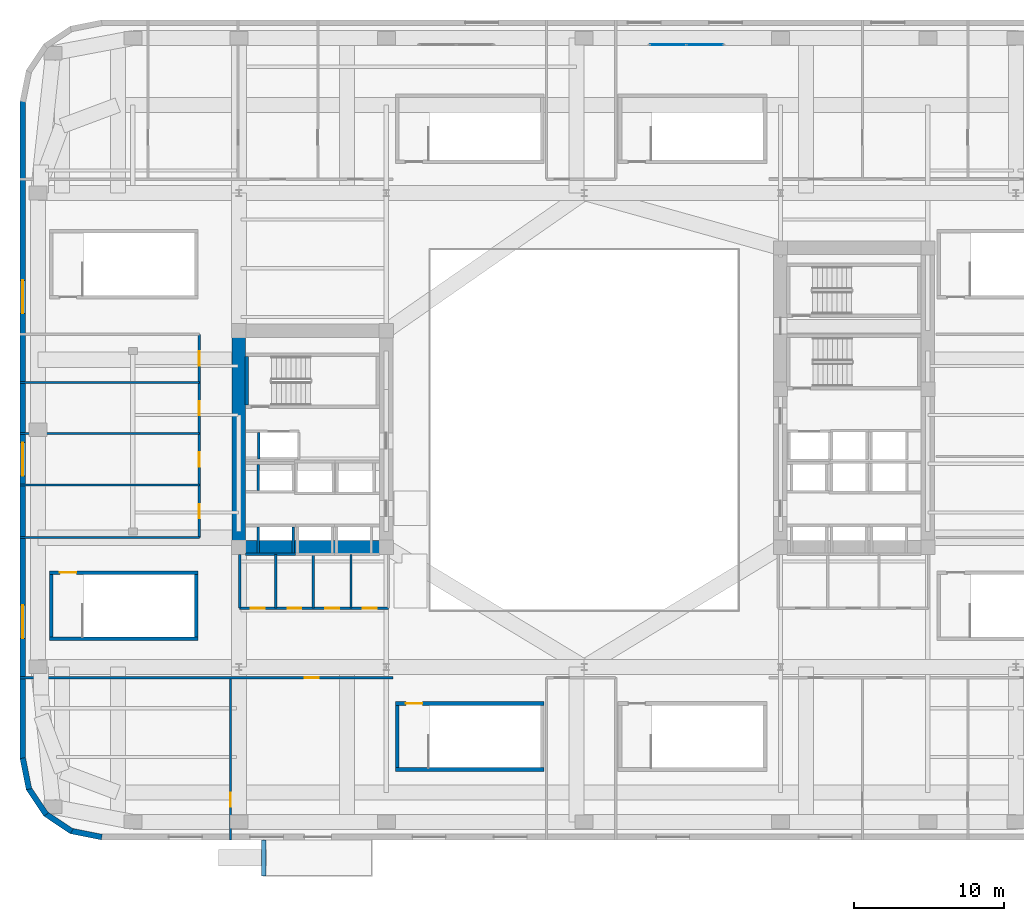
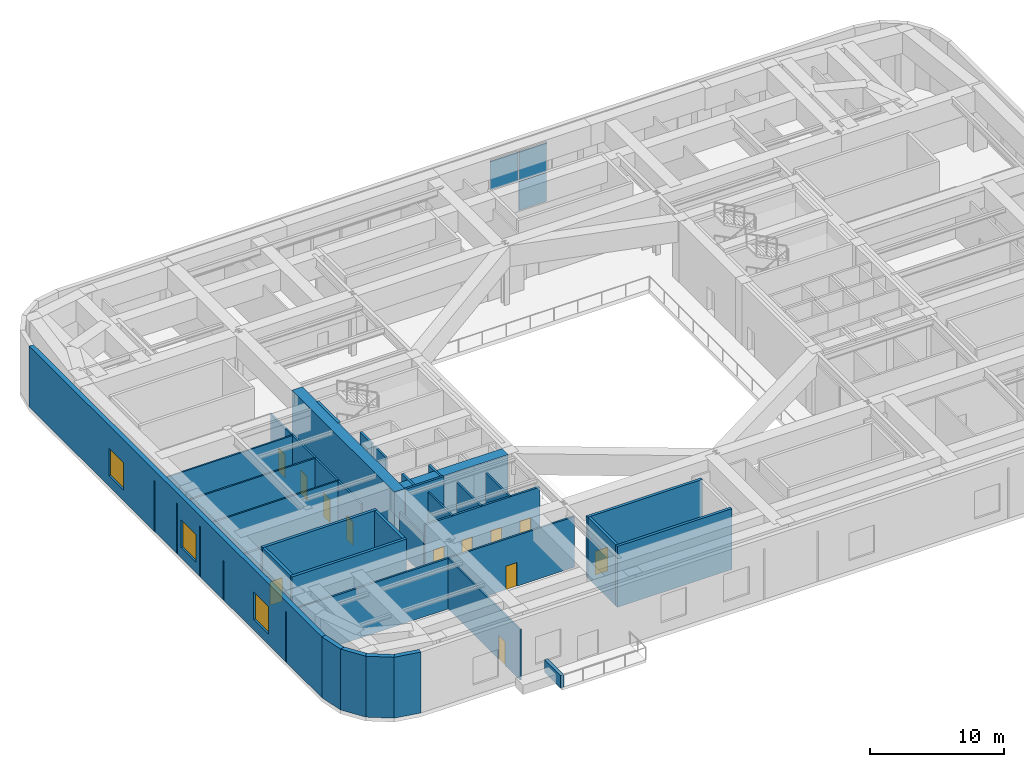
# One storey, part 6 of 16: 33 walls, 12 doors, 3 plates, 3 windows, 15 openings, 1 element without a shape of its own.
"""IFC4 building model written with IfcOpenShell, lengths in metres."""

import ifcopenshell
import ifcopenshell.guid

model = None  # the IFC model being written
_history = None  # IfcOwnerHistory: only IFC2X3 demands one
_inside = {}  # id of a spatial element -> (the spatial element, [elements in it])
_under = {}  # id of a project, library or spatial element -> (it, [spatial elements below it])
_declared = {}  # id of a project -> (the project, [libraries it declares])
_typed = {}  # id of a type object -> (the type object, [elements of that type])
_made_of = {}  # id of a material, layer set ... -> (it, [elements and type objects made of it])


def new_model(schema):
    """Start an empty IFC model of exactly this schema.

    Asked for "IFC4X3", IfcOpenShell would pick the latest addendum, in which some entities
    have other attributes; the version numbers below select the first issue.
    IFC2X3 requires an IfcOwnerHistory on every rooted entity: one is made here for all.
    """
    global model, _history
    if schema == "IFC4X3":
        model = ifcopenshell.file(schema_version=(4, 3, 0, 0))
    else:
        model = ifcopenshell.file(schema=schema)
    _inside.clear()
    _under.clear()
    _declared.clear()
    _typed.clear()
    _made_of.clear()
    _history = None
    if model.schema == "IFC2X3":
        org = make("IfcOrganization", Name="unknown")
        user = make(
            "IfcPersonAndOrganization",
            ThePerson=make("IfcPerson", FamilyName="unknown"),
            TheOrganization=org,
        )
        app = make(
            "IfcApplication",
            ApplicationDeveloper=org,
            Version="unknown",
            ApplicationFullName="unknown",
            ApplicationIdentifier="unknown",
        )
        _history = make(
            "IfcOwnerHistory",
            OwningUser=user,
            OwningApplication=app,
            ChangeAction="ADDED",
            CreationDate=0,
        )
    return model


def make(cls, **values):
    """One entity of the class cls with the attributes given. An attribute that is None is left unset."""
    return model.create_entity(
        cls, **{name: value for name, value in values.items() if value is not None}
    )


def rooted(cls, **values):
    """An entity with a GlobalId (a new one), such as an element, a storey or a relation."""
    return make(cls, GlobalId=ifcopenshell.guid.new(), OwnerHistory=_history, **values)


def si_unit(unit_type, name, prefix=None):
    """IfcSIUnit, for example si_unit("LENGTHUNIT", "METRE", prefix="MILLI")."""
    return make("IfcSIUnit", UnitType=unit_type, Prefix=prefix, Name=name)


def assignment(units):
    """IfcUnitAssignment: the units of a project."""
    return None if units is None else make("IfcUnitAssignment", Units=units)


def point(xyz):
    """IfcCartesianPoint."""
    return None if xyz is None else make("IfcCartesianPoint", Coordinates=xyz)


def direction(xyz):
    """IfcDirection."""
    return None if xyz is None else make("IfcDirection", DirectionRatios=xyz)


def frame(location, z_axis=None, x_axis=None):
    """IfcAxis2Placement3D, a coordinate frame: its origin and axes. An axis left out is left unset."""
    return make(
        "IfcAxis2Placement3D",
        Location=point(location),
        Axis=direction(z_axis),
        RefDirection=direction(x_axis),
    )


def frame_2d(location, x_axis=None):
    """IfcAxis2Placement2D, a coordinate frame in the plane: its origin and x axis."""
    return make(
        "IfcAxis2Placement2D", Location=point(location), RefDirection=direction(x_axis)
    )


def origin():
    """The frame at (0, 0, 0) with its axes left unset."""
    return frame((0.0, 0.0, 0.0))


def origin_2d():
    """The frame at (0, 0) in the plane with its x axis left unset."""
    return frame_2d((0.0, 0.0))


def place(relative_to, where):
    """IfcLocalPlacement: puts the frame where relative to a parent placement (None: the world)."""
    return make(
        "IfcLocalPlacement", PlacementRelTo=relative_to, RelativePlacement=where
    )


def context(
    kind, dimensions, precision=None, world=None, true_north=None, identifier=None
):
    """IfcGeometricRepresentationContext, for example the 3D "Model" context."""
    return make(
        "IfcGeometricRepresentationContext",
        ContextIdentifier=identifier,
        ContextType=kind,
        CoordinateSpaceDimension=dimensions,
        Precision=precision,
        WorldCoordinateSystem=world,
        TrueNorth=true_north,
    )


def subcontext(parent, identifier, kind, view, scale=None):
    """IfcGeometricRepresentationSubContext, for example "Body" below "Model"."""
    return make(
        "IfcGeometricRepresentationSubContext",
        ContextIdentifier=identifier,
        ContextType=kind,
        ParentContext=parent,
        TargetScale=scale,
        TargetView=view,
    )


def project(units=None, contexts=None):
    """IfcProject with its units and contexts."""
    return rooted(
        "IfcProject",
        Name="project",
        RepresentationContexts=contexts,
        UnitsInContext=assignment(units),
    )


def spatial(cls, under=None, at=None, **own):
    """A site, building, storey or space (cls), placed at a placement, below another one or the project."""
    s = rooted(cls, ObjectPlacement=at, **own)
    if under is not None:
        _under.setdefault(under.id(), (under, []))[1].append(s)
    return s


def profile(cls, at=None, kind="AREA", **sizes):
    """A parametric profile (cls). Its sizes go by their IFC names, for example OverallWidth=200.0."""
    return make(cls, ProfileType=kind, Position=at, **sizes)


def rectangle(**sizes):
    """IfcRectangleProfileDef."""
    return profile("IfcRectangleProfileDef", **sizes)


def extrude(swept, where, along, depth):
    """IfcExtrudedAreaSolid: the profile swept, set in the frame where, extruded along a direction by depth."""
    return make(
        "IfcExtrudedAreaSolid",
        SweptArea=swept,
        Position=where,
        ExtrudedDirection=direction(along),
        Depth=depth,
    )


def shape(context_of_items, identifier, shape_type, items):
    """IfcShapeRepresentation: the items that make up one representation, for example the "Body"."""
    return make(
        "IfcShapeRepresentation",
        ContextOfItems=context_of_items,
        RepresentationIdentifier=identifier,
        RepresentationType=shape_type,
        Items=items,
    )


def material(Name=None, Category=None):
    """IfcMaterial."""
    return make("IfcMaterial", Name=Name, Category=Category)


def layer(
    of_material, thickness, ventilated=None, Name=None, Category=None, Priority=None
):
    """IfcMaterialLayer: one layer of a wall or slab, of a material (None: an air gap)."""
    return make(
        "IfcMaterialLayer",
        Material=of_material,
        LayerThickness=thickness,
        IsVentilated=ventilated,
        Name=Name,
        Category=Category,
        Priority=Priority,
    )


def layer_set(layers, Name=None):
    """IfcMaterialLayerSet."""
    return make("IfcMaterialLayerSet", MaterialLayers=layers, LayerSetName=Name)


def made_of(thing, what):
    """Note that an element or type object is made of a material, layer set ...; save() writes the relation."""
    if what is not None:
        _made_of.setdefault(what.id(), (what, []))[1].append(thing)
    return thing


def type_object(cls, material=None, **own):
    """A type object (cls), such as IfcWallType, which elements share."""
    return made_of(rooted(cls, **own), material)


def element(
    cls,
    number,
    at=None,
    inside=None,
    cuts=None,
    type_object=None,
    material=None,
    context=None,
    identifier="Body",
    shape_type=None,
    held_by="IfcProductDefinitionShape",
    body=None,
    shapes=None,
    **own,
):
    """One element of the class cls, such as IfcWall. Its Tag is "e" and its number.

    at: its placement. inside: the storey or other place that contains it. cuts: it is an
    opening in that element (IfcRelVoidsElement). A single representation is given by context,
    identifier, shape_type and body (its items); several are given by shapes. held_by: the class
    of the entity that holds the representations. save() writes the other relations.
    """
    e = rooted(cls, Tag="e%d" % number, ObjectPlacement=at, **own)
    if body is not None:
        shapes = [shape(context, identifier, shape_type, body)]
    if shapes is not None:
        e.Representation = make(held_by, Representations=shapes)
    if inside is not None:
        _inside.setdefault(inside.id(), (inside, []))[1].append(e)
    if cuts is not None:
        rooted(
            "IfcRelVoidsElement", RelatingBuildingElement=cuts, RelatedOpeningElement=e
        )
    if type_object is not None:
        _typed.setdefault(type_object.id(), (type_object, []))[1].append(e)
    return made_of(e, material)


def fill(opening, filler):
    """IfcRelFillsElement: the door or window that sits in an opening."""
    return rooted(
        "IfcRelFillsElement",
        RelatingOpeningElement=opening,
        RelatedBuildingElement=filler,
    )


def aggregate(whole, parts):
    """IfcRelAggregates: a whole, such as a stair, and the parts it consists of."""
    return rooted("IfcRelAggregates", RelatingObject=whole, RelatedObjects=parts)


def save(model, path):
    """Write the relations noted so far, then the file.

    IfcRelAggregates (storeys below a building ...), IfcRelContainedInSpatialStructure (elements
    in a storey), IfcRelDefinesByType, IfcRelAssociatesMaterial and IfcRelDeclares: one each for
    every whole, place, type object, material and project.
    """
    for whole, parts in _under.values():
        aggregate(whole, parts)
    for where, things in _inside.values():
        rooted(
            "IfcRelContainedInSpatialStructure",
            RelatedElements=things,
            RelatingStructure=where,
        )
    for kind, things in _typed.values():
        rooted("IfcRelDefinesByType", RelatedObjects=things, RelatingType=kind)
    for what, things in _made_of.values():
        rooted("IfcRelAssociatesMaterial", RelatedObjects=things, RelatingMaterial=what)
    for by, libraries in _declared.values():
        rooted("IfcRelDeclares", RelatingContext=by, RelatedDefinitions=libraries)
    model.write(path)


model = new_model("IFC4")

# Units and contexts
model_context = context("Model", 3, precision=1e-05, world=origin(), true_north=direction((0.0, 1.0)))
body_context = subcontext(model_context, "Body", "Model", "MODEL_VIEW")
ifc_project = project(units=[si_unit("LENGTHUNIT", "METRE"), si_unit("AREAUNIT", "SQUARE_METRE"), si_unit("VOLUMEUNIT", "CUBIC_METRE"), si_unit("PLANEANGLEUNIT", "RADIAN"), si_unit("MASSUNIT", "GRAM", prefix="KILO")], contexts=[model_context])

# Site, building, storey
site_placement = place(None, origin())
site = spatial("IfcSite", under=ifc_project, at=site_placement, CompositionType="ELEMENT")
building_placement = place(site_placement, origin())
building = spatial("IfcBuilding", under=site, at=building_placement, Name="Kolvaren Arena Tower", CompositionType="ELEMENT")
storey_placement = place(building_placement, frame((0.0, 0.0, 28.0)))
storey = spatial("IfcBuildingStorey", under=building, at=storey_placement, Name="L05", CompositionType="ELEMENT", Elevation=28.0)

# Curtain wall, plates
ifc_material_1 = material(Name="Anodised aluminium unitised curtain wall", Category="aluminium")
curtain_wall_type = type_object("IfcCurtainWallType", Name="CW-SYS-07", PredefinedType="USERDEFINED", material=ifc_material_1)
curtain_wall_placement = place(storey_placement, origin())
curtain_wall = element("IfcCurtainWall", 1, at=curtain_wall_placement, inside=storey, type_object=curtain_wall_type, Name="Crown Clerestory Curtain Wall (L05)", ObjectType="UNITISED CURTAIN WALL", PredefinedType="USERDEFINED")
ifc_material_2 = material(Name="Laminated acoustic low-E glazing unit", Category="glass")
ifc_layer_1 = layer(ifc_material_2, 0.052001953125)
ifc_layer_set_1 = layer_set([ifc_layer_1], Name="Laminated acoustic low-E glazing unit")
plate_type = type_object("IfcPlateType", Name="CWP-VIS2", PredefinedType="CURTAIN_PANEL", material=ifc_layer_set_1)
plate_1_placement = place(storey_placement, frame((43.070068359375, 52.85009765625, 2.824951171875), z_axis=(0.0, 0.0, 1.0), x_axis=(1.0, 0.0, 0.0)))
plate_1 = element("IfcPlate", 2, at=plate_1_placement, type_object=plate_type, Name="CW7 panel 1.2", PredefinedType="CURTAIN_PANEL", context=body_context, shape_type="SweptSolid", body=[
    extrude(rectangle(XDim=2.3798828125, YDim=0.052001953125, at=origin_2d()), origin(), (0.0, 0.0, 1.0), 2.625),
])
plate_2_placement = place(storey_placement, frame((45.530029296875, 52.85009765625, 0.10009765625), z_axis=(0.0, 0.0, 1.0), x_axis=(1.0, 0.0, 0.0)))
plate_2 = element("IfcPlate", 3, at=plate_2_placement, type_object=plate_type, Name="CW7 panel 2.1", PredefinedType="CURTAIN_PANEL", context=body_context, shape_type="SweptSolid", body=[
    extrude(rectangle(XDim=2.3798828125, YDim=0.052001953125, at=origin_2d()), origin(), (0.0, 0.0, 1.0), 2.625),
])
plate_3_placement = place(storey_placement, frame((45.530029296875, 52.85009765625, 2.824951171875), z_axis=(0.0, 0.0, 1.0), x_axis=(1.0, 0.0, 0.0)))
plate_3 = element("IfcPlate", 4, at=plate_3_placement, type_object=plate_type, Name="CW7 panel 2.2", PredefinedType="CURTAIN_PANEL", context=body_context, shape_type="SweptSolid", body=[
    extrude(rectangle(XDim=2.3798828125, YDim=0.052001953125, at=origin_2d()), origin(), (0.0, 0.0, 1.0), 2.625),
])
aggregate(curtain_wall, [plate_1, plate_2, plate_3])

# Wall, openings, doors
ifc_material_3 = material(Name="Gypsum board acoustic assembly", Category="gypsum")
ifc_layer_2 = layer(ifc_material_3, 0.159912109375)
ifc_layer_set_2 = layer_set([ifc_layer_2], Name="Gypsum board acoustic assembly")
wall_type_1 = type_object("IfcWallType", Name="CORR-160", PredefinedType="PARTITIONING", material=ifc_layer_set_2)
wall_1_placement = place(storey_placement, frame((11.919921875, 20.10009765625, 0.0), z_axis=(0.0, 0.0, 1.0), x_axis=(0.0, 1.0, 0.0)))
wall_1 = element("IfcWall", 5, at=wall_1_placement, inside=storey, type_object=wall_type_1, Name="Interior Partition Wall (L05)", PredefinedType="PARTITIONING", context=body_context, shape_type="SweptSolid", body=[
    extrude(rectangle(XDim=13.5, YDim=0.159912109375, at=frame_2d((6.75, 0.0))), origin(), (0.0, 0.0, 1.0), 4.610107421875),
])
opening_1_placement = place(wall_1_placement, frame((1.27001953125, 0.0, 0.0)))
opening_1 = element("IfcOpeningElement", 6, at=opening_1_placement, cuts=wall_1, Name="Opening D05", PredefinedType="OPENING", context=body_context, shape_type="SweptSolid", body=[
    extrude(rectangle(XDim=0.949951171875, YDim=2.14990234375, at=frame_2d((0.47509765625, 1.074951171875))), frame((0.0, 0.08984375, 0.0), z_axis=(0.0, -1.0, 0.0), x_axis=(1.0, 0.0, 0.0)), (0.0, 0.0, 1.0), 0.179931640625),
])
opening_2_placement = place(wall_1_placement, frame((4.719970703125, 0.0, 0.0)))
opening_2 = element("IfcOpeningElement", 7, at=opening_2_placement, cuts=wall_1, Name="Opening D05", PredefinedType="OPENING", context=body_context, shape_type="SweptSolid", body=[
    extrude(rectangle(XDim=0.949951171875, YDim=2.14990234375, at=frame_2d((0.47509765625, 1.074951171875))), frame((0.0, 0.08984375, 0.0), z_axis=(0.0, -1.0, 0.0), x_axis=(1.0, 0.0, 0.0)), (0.0, 0.0, 1.0), 0.179931640625),
])
opening_3_placement = place(wall_1_placement, frame((8.1201171875, 0.0, 0.0)))
opening_3 = element("IfcOpeningElement", 8, at=opening_3_placement, cuts=wall_1, Name="Opening D05", PredefinedType="OPENING", context=body_context, shape_type="SweptSolid", body=[
    extrude(rectangle(XDim=0.949951171875, YDim=2.14990234375, at=frame_2d((0.47509765625, 1.074951171875))), frame((0.0, 0.08984375, 0.0), z_axis=(0.0, -1.0, 0.0), x_axis=(1.0, 0.0, 0.0)), (0.0, 0.0, 1.0), 0.179931640625),
])
opening_4_placement = place(wall_1_placement, frame((11.419921875, 0.0, 0.0)))
opening_4 = element("IfcOpeningElement", 9, at=opening_4_placement, cuts=wall_1, Name="Opening D05", PredefinedType="OPENING", context=body_context, shape_type="SweptSolid", body=[
    extrude(rectangle(XDim=0.949951171875, YDim=2.14990234375, at=frame_2d((0.47509765625, 1.074951171875))), frame((0.0, 0.08984375, 0.0), z_axis=(0.0, -1.0, 0.0), x_axis=(1.0, 0.0, 0.0)), (0.0, 0.0, 1.0), 0.179931640625),
])
ifc_material_4 = material(Name="Solid-core oak acoustic office door", Category="wood")
door_type_1 = type_object("IfcDoorType", Name="DOOR-OF-095", OperationType="NOTDEFINED", PredefinedType="DOOR", material=ifc_material_4)
door_1_placement = place(opening_1_placement, origin())
door_1 = element("IfcDoor", 10, at=door_1_placement, inside=storey, type_object=door_type_1, Name="Broadcast Production Room Door (L05)", OperationType="SINGLE_SWING_LEFT", OverallHeight=2.14990234375, OverallWidth=0.949951171875, PredefinedType="DOOR", context=body_context, shape_type="SweptSolid", body=[
    extrude(rectangle(XDim=0.949951171875, YDim=2.14990234375, at=frame_2d((0.47509765625, 1.074951171875))), frame((0.0, 0.02490234375, 0.0), z_axis=(0.0, -1.0, 0.0), x_axis=(1.0, 0.0, 0.0)), (0.0, 0.0, 1.0), 0.050048828125),
])
fill(opening_1, door_1)
door_2_placement = place(opening_2_placement, origin())
door_2 = element("IfcDoor", 11, at=door_2_placement, inside=storey, type_object=door_type_1, Name="Press Writing Studio Door (L05)", OperationType="SINGLE_SWING_LEFT", OverallHeight=2.14990234375, OverallWidth=0.949951171875, PredefinedType="DOOR", context=body_context, shape_type="SweptSolid", body=[
    extrude(rectangle(XDim=0.949951171875, YDim=2.14990234375, at=frame_2d((0.47509765625, 1.074951171875))), frame((0.0, 0.02490234375, 0.0), z_axis=(0.0, -1.0, 0.0), x_axis=(1.0, 0.0, 0.0)), (0.0, 0.0, 1.0), 0.050048828125),
])
fill(opening_2, door_2)
door_3_placement = place(opening_3_placement, origin())
door_3 = element("IfcDoor", 12, at=door_3_placement, inside=storey, type_object=door_type_1, Name="Training Seminar Room Door (L05)", OperationType="SINGLE_SWING_LEFT", OverallHeight=2.14990234375, OverallWidth=0.949951171875, PredefinedType="DOOR", context=body_context, shape_type="SweptSolid", body=[
    extrude(rectangle(XDim=0.949951171875, YDim=2.14990234375, at=frame_2d((0.47509765625, 1.074951171875))), frame((0.0, 0.02490234375, 0.0), z_axis=(0.0, -1.0, 0.0), x_axis=(1.0, 0.0, 0.0)), (0.0, 0.0, 1.0), 0.050048828125),
])
fill(opening_3, door_3)
door_4_placement = place(opening_4_placement, origin())
door_4 = element("IfcDoor", 13, at=door_4_placement, inside=storey, type_object=door_type_1, Name="Wellness Room Door (L05)", OperationType="SINGLE_SWING_LEFT", OverallHeight=2.14990234375, OverallWidth=0.949951171875, PredefinedType="DOOR", context=body_context, shape_type="SweptSolid", body=[
    extrude(rectangle(XDim=0.949951171875, YDim=2.14990234375, at=frame_2d((0.47509765625, 1.074951171875))), frame((0.0, 0.02490234375, 0.0), z_axis=(0.0, -1.0, 0.0), x_axis=(1.0, 0.0, 0.0)), (0.0, 0.0, 1.0), 0.050048828125),
])
fill(opening_4, door_4)

# Wall
wall_2_placement = place(storey_placement, frame((0.0, 20.10009765625, 0.0), z_axis=(0.0, 0.0, 1.0), x_axis=(1.0, 0.0, 0.0)))
element("IfcWall", 14, at=wall_2_placement, inside=storey, type_object=wall_type_1, Name="Interior Partition Wall (L05)", PredefinedType="PARTITIONING", context=body_context, shape_type="SweptSolid", body=[
    extrude(rectangle(XDim=11.919921875, YDim=0.159912109375, at=frame_2d((5.9599609375, 0.0))), origin(), (0.0, 0.0, 1.0), 3.60009765625),
])

# Wall, opening, door
wall_3_placement = place(storey_placement, frame((0.0, 10.780029296875, 0.0), z_axis=(0.0, 0.0, 1.0), x_axis=(1.0, 0.0, 0.0)))
wall_3 = element("IfcWall", 15, at=wall_3_placement, inside=storey, type_object=wall_type_1, Name="Interior Partition Wall (L05)", PredefinedType="PARTITIONING", context=body_context, shape_type="SweptSolid", body=[
    extrude(rectangle(XDim=24.800048828125, YDim=0.159912109375, at=frame_2d((12.39990234375, 0.0))), origin(), (0.0, 0.0, 1.0), 4.610107421875),
])
opening_5_placement = place(wall_3_placement, frame((18.919921875, 0.0, 0.0)))
opening_5 = element("IfcOpeningElement", 16, at=opening_5_placement, cuts=wall_3, Name="Opening D05", PredefinedType="OPENING", context=body_context, shape_type="SweptSolid", body=[
    extrude(rectangle(XDim=0.949951171875, YDim=2.14990234375, at=frame_2d((0.47509765625, 1.074951171875))), frame((0.0, 0.08984375, 0.0), z_axis=(0.0, -1.0, 0.0), x_axis=(1.0, 0.0, 0.0)), (0.0, 0.0, 1.0), 0.179931640625),
])
door_5_placement = place(opening_5_placement, origin())
door_5 = element("IfcDoor", 17, at=door_5_placement, inside=storey, type_object=door_type_1, Name="Arena Retail Pavilion Door (L05)", OperationType="SINGLE_SWING_RIGHT", OverallHeight=2.14990234375, OverallWidth=0.949951171875, PredefinedType="DOOR", context=body_context, shape_type="SweptSolid", body=[
    extrude(rectangle(XDim=0.949951171875, YDim=2.14990234375, at=frame_2d((0.47509765625, 1.074951171875))), frame((0.0, 0.02490234375, 0.0), z_axis=(0.0, -1.0, 0.0), x_axis=(1.0, 0.0, 0.0)), (0.0, 0.0, 1.0), 0.050048828125),
])
fill(opening_5, door_5)

# Walls
ifc_material_5 = material(Name="Concrete 80 MPa", Category="concrete")
ifc_layer_3 = layer(ifc_material_5, 0.89990234375)
ifc_layer_set_3 = layer_set([ifc_layer_3], Name="Concrete 80 MPa")
wall_type_2 = type_object("IfcWallType", Name="CWALL-900", PredefinedType="SHEAR", material=ifc_layer_set_3)
wall_4_placement = place(storey_placement, frame((14.550048828125, 19.0, -0.35009765625), z_axis=(0.0, 0.0, 1.0), x_axis=(0.0, 1.0, 0.0)))
element("IfcWall", 18, at=wall_4_placement, inside=storey, type_object=wall_type_2, Name="Core Shear Wall WC-WEST (L05)", PredefinedType="SHEAR", context=body_context, shape_type="SweptSolid", body=[
    extrude(rectangle(XDim=15.300048828125, YDim=0.89990234375, at=frame_2d((7.64990234375, 0.0))), origin(), (0.0, 0.0, 1.0), 5.900146484375),
])
wall_5_placement = place(storey_placement, frame((15.0, 19.449951171875, -0.35009765625), z_axis=(0.0, 0.0, 1.0), x_axis=(1.0, 0.0, 0.0)))
element("IfcWall", 19, at=wall_5_placement, inside=storey, type_object=wall_type_2, Name="Core Shear Wall WC-SOUTH (L05)", PredefinedType="SHEAR", context=body_context, shape_type="SweptSolid", body=[
    extrude(rectangle(XDim=8.89990234375, YDim=0.89990234375, at=frame_2d((4.449951171875, 0.0))), origin(), (0.0, 0.0, 1.0), 5.900146484375),
])

# Wall, openings, windows
ifc_material_6 = material(Name="Precast concrete C50/60", Category="concrete")
ifc_layer_4 = layer(ifc_material_6, 0.3798828125)
ifc_layer_set_4 = layer_set([ifc_layer_4], Name="Precast concrete C50/60")
wall_type_3 = type_object("IfcWallType", Name="EXT-ARENA", PredefinedType="SOLIDWALL", material=ifc_layer_set_4)
wall_6_placement = place(storey_placement, frame((0.18994140625, 5.39990234375, 0.0), z_axis=(0.0, 0.0, 1.0), x_axis=(0.0, 1.0, 0.0)))
wall_6 = element("IfcWall", 20, at=wall_6_placement, inside=storey, type_object=wall_type_3, Name="Exterior Precast Masonry-Frame Wall (L05)", PredefinedType="SOLIDWALL", context=body_context, shape_type="SweptSolid", body=[
    extrude(rectangle(XDim=43.7001953125, YDim=0.3798828125, at=frame_2d((21.85009765625, 0.0))), origin(), (0.0, 0.0, 1.0), 5.550048828125),
])
opening_6_placement = place(wall_6_placement, frame((8.0, 0.0, 0.949951171875)))
opening_6 = element("IfcOpeningElement", 21, at=opening_6_placement, cuts=wall_6, Name="Opening W07", PredefinedType="OPENING", context=body_context, shape_type="SweptSolid", body=[
    extrude(rectangle(XDim=2.199951171875, YDim=2.5, at=frame_2d((1.10009765625, 1.25))), frame((0.0, 0.199951171875, 0.0), z_axis=(0.0, -1.0, 0.0), x_axis=(1.0, 0.0, 0.0)), (0.0, 0.0, 1.0), 0.39990234375),
])
opening_7_placement = place(wall_6_placement, frame((18.800048828125, 0.0, 0.949951171875)))
opening_7 = element("IfcOpeningElement", 22, at=opening_7_placement, cuts=wall_6, Name="Opening W07", PredefinedType="OPENING", context=body_context, shape_type="SweptSolid", body=[
    extrude(rectangle(XDim=2.199951171875, YDim=2.5, at=frame_2d((1.10009765625, 1.25))), frame((0.0, 0.199951171875, 0.0), z_axis=(0.0, -1.0, 0.0), x_axis=(1.0, 0.0, 0.0)), (0.0, 0.0, 1.0), 0.39990234375),
])
opening_8_placement = place(wall_6_placement, frame((29.60009765625, 0.0, 0.949951171875)))
opening_8 = element("IfcOpeningElement", 23, at=opening_8_placement, cuts=wall_6, Name="Opening W07", PredefinedType="OPENING", context=body_context, shape_type="SweptSolid", body=[
    extrude(rectangle(XDim=2.199951171875, YDim=2.5, at=frame_2d((1.10009765625, 1.25))), frame((0.0, 0.199951171875, 0.0), z_axis=(0.0, -1.0, 0.0), x_axis=(1.0, 0.0, 0.0)), (0.0, 0.0, 1.0), 0.39990234375),
])
ifc_material_7 = material(Name="Triple-glazed arena concourse window", Category="glass")
window_type = type_object("IfcWindowType", Name="WIN-POD-A", PartitioningType="DOUBLE_PANEL_VERTICAL", PredefinedType="WINDOW", material=ifc_material_7)
window_1_placement = place(opening_6_placement, origin())
window_1 = element("IfcWindow", 24, at=window_1_placement, inside=storey, type_object=window_type, Name="Punched Precast-Pier Window (L05)", OverallHeight=2.5, OverallWidth=2.199951171875, PartitioningType="DOUBLE_PANEL_VERTICAL", PredefinedType="WINDOW", context=body_context, shape_type="SweptSolid", body=[
    extrude(rectangle(XDim=2.199951171875, YDim=2.5, at=frame_2d((1.10009765625, 1.25))), frame((0.0, 0.030029296875, 0.0), z_axis=(0.0, -1.0, 0.0), x_axis=(1.0, 0.0, 0.0)), (0.0, 0.0, 1.0), 0.06005859375),
])
fill(opening_6, window_1)
window_2_placement = place(opening_7_placement, origin())
window_2 = element("IfcWindow", 25, at=window_2_placement, inside=storey, type_object=window_type, Name="Punched Precast-Pier Window (L05)", OverallHeight=2.5, OverallWidth=2.199951171875, PartitioningType="DOUBLE_PANEL_VERTICAL", PredefinedType="WINDOW", context=body_context, shape_type="SweptSolid", body=[
    extrude(rectangle(XDim=2.199951171875, YDim=2.5, at=frame_2d((1.10009765625, 1.25))), frame((0.0, 0.030029296875, 0.0), z_axis=(0.0, -1.0, 0.0), x_axis=(1.0, 0.0, 0.0)), (0.0, 0.0, 1.0), 0.06005859375),
])
fill(opening_7, window_2)
window_3_placement = place(opening_8_placement, origin())
window_3 = element("IfcWindow", 26, at=window_3_placement, inside=storey, type_object=window_type, Name="Punched Precast-Pier Window (L05)", OverallHeight=2.5, OverallWidth=2.199951171875, PartitioningType="DOUBLE_PANEL_VERTICAL", PredefinedType="WINDOW", context=body_context, shape_type="SweptSolid", body=[
    extrude(rectangle(XDim=2.199951171875, YDim=2.5, at=frame_2d((1.10009765625, 1.25))), frame((0.0, 0.030029296875, 0.0), z_axis=(0.0, -1.0, 0.0), x_axis=(1.0, 0.0, 0.0)), (0.0, 0.0, 1.0), 0.06005859375),
])
fill(opening_8, window_3)

# Walls
for number, where, z_axis, x_axis, name in (
    (27, (0.597412109375, 3.37060546875, 0.0), (0.0, 0.0, 1.0), (-0.195135546048, 0.9807762837, 0.0), "Exterior Precast Masonry-Frame Wall (L05)"),
    (28, (1.739501953125, 1.687255859375, 0.0), (0.0, 0.0, 1.0), (-0.555502146192, 0.831515102434, 0.0), "Exterior Precast Masonry-Frame Wall (L05)"),
    (29, (3.439208984375, 0.569091796875, 0.0), (0.0, 0.0, 1.0), (-0.831515102434, 0.555502146192, 0.0), "Exterior Precast Masonry-Frame Wall (L05)"),
    (30, (5.43701171875, 0.186279296875, 0.0), (0.0, 0.0, 1.0), (-0.9807762837, 0.195135546048, 0.0), "Exterior Precast Masonry-Frame Wall (L05)"),
):
    element("IfcWall", number, at=place(storey_placement, frame(where, z_axis=z_axis, x_axis=x_axis)), inside=storey, type_object=wall_type_3, Name=name, PredefinedType="SOLIDWALL", context=body_context, shape_type="SweptSolid", body=[
        extrude(rectangle(XDim=2.10693359375, YDim=0.3798828125, at=frame_2d((1.053466796875, 0.0))), origin(), (0.0, 0.0, 1.0), 5.550048828125),
    ])
ifc_material_8 = material(Name="Precast concrete C45/55", Category="concrete")
ifc_layer_5 = layer(ifc_material_8, 0.300048828125)
ifc_layer_set_5 = layer_set([ifc_layer_5], Name="Precast concrete C45/55")
wall_type_4 = type_object("IfcWallType", Name="PARAP-300", PredefinedType="PARAPET", material=ifc_layer_set_5)
wall_7_placement = place(storey_placement, frame((16.199951171875, 0.0, 0.0), z_axis=(0.0, 0.0, 1.0), x_axis=(0.0, -1.0, 0.0)))
element("IfcWall", 31, at=wall_7_placement, inside=storey, type_object=wall_type_4, Name="Terrace Side Parapet Wall (L05)", PredefinedType="PARAPET", context=body_context, shape_type="SweptSolid", body=[
    extrude(rectangle(XDim=2.39990234375, YDim=0.300048828125, at=frame_2d((1.199951171875, 0.0))), origin(), (0.0, 0.0, 1.0), 1.1201171875),
])
ifc_material_9 = material(Name="Gypsum board partition assembly", Category="gypsum")
ifc_layer_6 = layer(ifc_material_9, 0.135009765625)
ifc_layer_set_6 = layer_set([ifc_layer_6], Name="Gypsum board partition assembly")
wall_type_5 = type_object("IfcWallType", Name="PART-135", PredefinedType="PARTITIONING", material=ifc_layer_set_6)
for number, where, z_axis, x_axis, name in (
    (32, (0.0, 23.60009765625, 0.0), (0.0, 0.0, 1.0), (1.0, 0.0, 0.0), "Interior Partition Wall (L05)"),
    (33, (0.0, 27.0, 0.0), (0.0, 0.0, 1.0), (1.0, 0.0, 0.0), "Interior Partition Wall (L05)"),
    (34, (0.0, 30.39990234375, 0.0), (0.0, 0.0, 1.0), (1.0, 0.0, 0.0), "Interior Partition Wall (L05)"),
):
    element("IfcWall", number, at=place(storey_placement, frame(where, z_axis=z_axis, x_axis=x_axis)), inside=storey, type_object=wall_type_5, Name=name, PredefinedType="PARTITIONING", context=body_context, shape_type="SweptSolid", body=[
        extrude(rectangle(XDim=11.919921875, YDim=0.135009765625, at=frame_2d((5.9599609375, 0.0))), origin(), (0.0, 0.0, 1.0), 4.610107421875),
    ])

# Wall, opening, door
wall_8_placement = place(storey_placement, frame((14.0, 0.0, 0.0), z_axis=(0.0, 0.0, 1.0), x_axis=(0.0, 1.0, 0.0)))
wall_8 = element("IfcWall", 35, at=wall_8_placement, inside=storey, type_object=wall_type_5, Name="Interior Partition Wall (L05)", PredefinedType="PARTITIONING", context=body_context, shape_type="SweptSolid", body=[
    extrude(rectangle(XDim=10.68994140625, YDim=0.135009765625, at=frame_2d((5.344970703125, 0.0))), origin(), (0.0, 0.0, 1.0), 4.610107421875),
])
opening_9_placement = place(wall_8_placement, frame((2.199951171875, 0.0, 0.0)))
opening_9 = element("IfcOpeningElement", 36, at=opening_9_placement, cuts=wall_8, Name="Opening D05", PredefinedType="OPENING", context=body_context, shape_type="SweptSolid", body=[
    extrude(rectangle(XDim=0.949951171875, YDim=2.14990234375, at=frame_2d((0.47509765625, 1.074951171875))), frame((0.0, 0.077392578125, 0.0), z_axis=(0.0, -1.0, 0.0), x_axis=(1.0, 0.0, 0.0)), (0.0, 0.0, 1.0), 0.155029296875),
])
door_6_placement = place(opening_9_placement, origin())
door_6 = element("IfcDoor", 37, at=door_6_placement, inside=storey, type_object=door_type_1, Name="South-West Concession Hall Connecting Door (L05)", OperationType="SINGLE_SWING_LEFT", OverallHeight=2.14990234375, OverallWidth=0.949951171875, PredefinedType="DOOR", context=body_context, shape_type="SweptSolid", body=[
    extrude(rectangle(XDim=0.949951171875, YDim=2.14990234375, at=frame_2d((0.47509765625, 1.074951171875))), frame((0.0, 0.02490234375, 0.0), z_axis=(0.0, -1.0, 0.0), x_axis=(1.0, 0.0, 0.0)), (0.0, 0.0, 1.0), 0.050048828125),
])
fill(opening_9, door_6)

ifc_material_10 = material(Name="Concrete 45 MPa", Category="concrete")
ifc_layer_7 = layer(ifc_material_10, 0.25)
ifc_layer_set_7 = layer_set([ifc_layer_7], Name="Concrete 45 MPa")
wall_type_6 = type_object("IfcWallType", Name="SHAFT-250", PredefinedType="SOLIDWALL", material=ifc_layer_set_7)
wall_9_placement = place(storey_placement, frame((1.9599609375, 17.77001953125, 0.0), z_axis=(0.0, 0.0, 1.0), x_axis=(1.0, 0.0, 0.0)))
wall_9 = element("IfcWall", 38, at=wall_9_placement, inside=storey, type_object=wall_type_6, Name="Stair ST-A1 Rated Enclosure Wall (L05)", PredefinedType="SOLIDWALL", context=body_context, shape_type="SweptSolid", body=[
    extrude(rectangle(XDim=9.880126953125, YDim=0.239990234375, at=frame_2d((4.93994140625, 0.0))), origin(), (0.0, 0.0, 1.0), 5.550048828125),
])
opening_10_placement = place(wall_9_placement, frame((0.68994140625, 0.0, 0.0)))
opening_10 = element("IfcOpeningElement", 39, at=opening_10_placement, cuts=wall_9, Name="Opening D03", PredefinedType="OPENING", context=body_context, shape_type="SweptSolid", body=[
    extrude(rectangle(XDim=1.10009765625, YDim=2.14990234375, at=frame_2d((0.550048828125, 1.074951171875))), frame((0.0, 0.1298828125, 0.0), z_axis=(0.0, -1.0, 0.0), x_axis=(1.0, 0.0, 0.0)), (0.0, 0.0, 1.0), 0.260009765625),
])
ifc_material_11 = material(Name="Fire-rated steel exit stair door", Category="steel")
door_type_2 = type_object("IfcDoorType", Name="DOOR-ST-110", OperationType="NOTDEFINED", PredefinedType="DOOR", material=ifc_material_11)
door_7_placement = place(opening_10_placement, origin())
door_7 = element("IfcDoor", 40, at=door_7_placement, inside=storey, type_object=door_type_2, Name="Exit Stair ST-A1 Fire Door (L05)", OperationType="SINGLE_SWING_RIGHT", OverallHeight=2.14990234375, OverallWidth=1.10009765625, PredefinedType="DOOR", context=body_context, shape_type="SweptSolid", body=[
    extrude(rectangle(XDim=1.10009765625, YDim=2.14990234375, at=frame_2d((0.550048828125, 1.074951171875))), frame((0.0, 0.02490234375, 0.0), z_axis=(0.0, -1.0, 0.0), x_axis=(1.0, 0.0, 0.0)), (0.0, 0.0, 1.0), 0.050048828125),
])
fill(opening_10, door_7)

# Walls
wall_10_placement = place(storey_placement, frame((1.9599609375, 13.3798828125, 0.0), z_axis=(0.0, 0.0, 1.0), x_axis=(1.0, 0.0, 0.0)))
element("IfcWall", 41, at=wall_10_placement, inside=storey, type_object=wall_type_6, Name="Stair ST-A1 Rear Shaft Wall (L05)", PredefinedType="SOLIDWALL", context=body_context, shape_type="SweptSolid", body=[
    extrude(rectangle(XDim=9.880126953125, YDim=0.239990234375, at=frame_2d((4.93994140625, 0.0))), origin(), (0.0, 0.0, 1.0), 5.550048828125),
])
for number, where, z_axis, x_axis, name in (
    (42, (2.080078125, 13.5, 0.0), (0.0, 0.0, 1.0), (0.0, 1.0, 0.0), "Stair ST-A1 West Shaft Wall (L05)"),
    (43, (11.719970703125, 13.5, 0.0), (0.0, 0.0, 1.0), (0.0, 1.0, 0.0), "Stair ST-A1 East Shaft Wall (L05)"),
):
    element("IfcWall", number, at=place(storey_placement, frame(where, z_axis=z_axis, x_axis=x_axis)), inside=storey, type_object=wall_type_6, Name=name, PredefinedType="SOLIDWALL", context=body_context, shape_type="SweptSolid", body=[
        extrude(rectangle(XDim=4.14990234375, YDim=0.239990234375, at=frame_2d((2.074951171875, 0.0))), origin(), (0.0, 0.0, 1.0), 5.550048828125),
    ])

# Wall, opening, door
wall_11_placement = place(storey_placement, frame((24.9599609375, 9.070068359375, 0.0), z_axis=(0.0, 0.0, 1.0), x_axis=(1.0, 0.0, 0.0)))
wall_11 = element("IfcWall", 44, at=wall_11_placement, inside=storey, type_object=wall_type_6, Name="Stair ST-A2 Rated Enclosure Wall (L05)", PredefinedType="SOLIDWALL", context=body_context, shape_type="SweptSolid", body=[
    extrude(rectangle(XDim=9.880126953125, YDim=0.239990234375, at=frame_2d((4.93994140625, 0.0))), origin(), (0.0, 0.0, 1.0), 5.550048828125),
])
opening_11_placement = place(wall_11_placement, frame((0.68994140625, 0.0, 0.0)))
opening_11 = element("IfcOpeningElement", 45, at=opening_11_placement, cuts=wall_11, Name="Opening D03", PredefinedType="OPENING", context=body_context, shape_type="SweptSolid", body=[
    extrude(rectangle(XDim=1.10009765625, YDim=2.14990234375, at=frame_2d((0.550048828125, 1.074951171875))), frame((0.0, 0.1298828125, 0.0), z_axis=(0.0, -1.0, 0.0), x_axis=(1.0, 0.0, 0.0)), (0.0, 0.0, 1.0), 0.260009765625),
])
door_8_placement = place(opening_11_placement, origin())
door_8 = element("IfcDoor", 46, at=door_8_placement, inside=storey, type_object=door_type_2, Name="Exit Stair ST-A2 Fire Door (L05)", OperationType="SINGLE_SWING_RIGHT", OverallHeight=2.14990234375, OverallWidth=1.10009765625, PredefinedType="DOOR", context=body_context, shape_type="SweptSolid", body=[
    extrude(rectangle(XDim=1.10009765625, YDim=2.14990234375, at=frame_2d((0.550048828125, 1.074951171875))), frame((0.0, 0.02490234375, 0.0), z_axis=(0.0, -1.0, 0.0), x_axis=(1.0, 0.0, 0.0)), (0.0, 0.0, 1.0), 0.050048828125),
])
fill(opening_11, door_8)

# Walls
wall_12_placement = place(storey_placement, frame((24.9599609375, 4.679931640625, 0.0), z_axis=(0.0, 0.0, 1.0), x_axis=(1.0, 0.0, 0.0)))
element("IfcWall", 47, at=wall_12_placement, inside=storey, type_object=wall_type_6, Name="Stair ST-A2 Rear Shaft Wall (L05)", PredefinedType="SOLIDWALL", context=body_context, shape_type="SweptSolid", body=[
    extrude(rectangle(XDim=9.880126953125, YDim=0.239990234375, at=frame_2d((4.93994140625, 0.0))), origin(), (0.0, 0.0, 1.0), 5.550048828125),
])
wall_13_placement = place(storey_placement, frame((25.080078125, 4.800048828125, 0.0), z_axis=(0.0, 0.0, 1.0), x_axis=(0.0, 1.0, 0.0)))
element("IfcWall", 48, at=wall_13_placement, inside=storey, type_object=wall_type_6, Name="Stair ST-A2 West Shaft Wall (L05)", PredefinedType="SOLIDWALL", context=body_context, shape_type="SweptSolid", body=[
    extrude(rectangle(XDim=4.14990234375, YDim=0.239990234375, at=frame_2d((2.074951171875, 0.0))), origin(), (0.0, 0.0, 1.0), 5.550048828125),
])
wall_14_placement = place(storey_placement, frame((15.06005859375, 28.89990234375, 0.0), z_axis=(0.0, 0.0, 1.0), x_axis=(0.0, 1.0, 0.0)))
element("IfcWall", 49, at=wall_14_placement, inside=storey, type_object=wall_type_6, Name="Core Shaft Wall (L05)", PredefinedType="SOLIDWALL", context=body_context, shape_type="SweptSolid", body=[
    extrude(rectangle(XDim=3.22998046875, YDim=0.239990234375, at=frame_2d((1.614990234375, 0.0))), origin(), (0.0, 0.0, 1.0), 5.550048828125),
])
wall_15_placement = place(storey_placement, frame((15.0, 18.9951171875, 0.0), z_axis=(0.0, 0.0, 1.0), x_axis=(1.0, 0.0, 0.0)))
element("IfcWall", 50, at=wall_15_placement, inside=storey, type_object=wall_type_6, Name="Core Shaft Wall (L05)", PredefinedType="SOLIDWALL", context=body_context, shape_type="SweptSolid", body=[
    extrude(rectangle(XDim=3.300048828125, YDim=0.179931640625, at=frame_2d((1.64990234375, 0.0))), origin(), (0.0, 0.0, 1.0), 5.550048828125),
])
for number, where, z_axis, x_axis, name in (
    (51, (15.844970703125, 19.0849609375, 0.0), (0.0, 0.0, 1.0), (0.0, 1.0, 0.0), "Core Shaft Wall (L05)"),
    (52, (18.155029296875, 19.0849609375, 0.0), (0.0, 0.0, 1.0), (0.0, 1.0, 0.0), "Core Shaft Wall (L05)"),
    (53, (15.844970703125, 23.235107421875, 0.0), (0.0, 0.0, 1.0), (0.0, 1.0, 0.0), "Core Shaft Wall (L05)"),
    (54, (15.8701171875, 25.3349609375, 0.0), (0.0, 0.0, 1.0), (0.0, 1.0, 0.0), "Core Shaft Wall (L05)"),
):
    element("IfcWall", number, at=place(storey_placement, frame(where, z_axis=z_axis, x_axis=x_axis)), inside=storey, type_object=wall_type_6, Name=name, PredefinedType="SOLIDWALL", context=body_context, shape_type="SweptSolid", body=[
        extrude(rectangle(XDim=1.72998046875, YDim=0.179931640625, at=frame_2d((0.864990234375, 0.0))), origin(), (0.0, 0.0, 1.0), 5.550048828125),
    ])
ifc_material_12 = material(Name="Moisture-resistant gypsum assembly", Category="gypsum")
ifc_layer_8 = layer(ifc_material_12, 0.14990234375)
ifc_layer_set_8 = layer_set([ifc_layer_8], Name="Moisture-resistant gypsum assembly")
wall_type_7 = type_object("IfcWallType", Name="WETW-150", PredefinedType="PARTITIONING", material=ifc_layer_set_8)
for number, where, z_axis, x_axis, name in (
    (55, (17.0, 15.39990234375, 0.0), (0.0, 0.0, 1.0), (0.0, 1.0, 0.0), "Interior Partition Wall (L05)"),
    (56, (19.5, 15.39990234375, 0.0), (0.0, 0.0, 1.0), (0.0, 1.0, 0.0), "Interior Partition Wall (L05)"),
    (57, (22.0, 15.39990234375, 0.0), (0.0, 0.0, 1.0), (0.0, 1.0, 0.0), "Interior Partition Wall (L05)"),
):
    element("IfcWall", number, at=place(storey_placement, frame(where, z_axis=z_axis, x_axis=x_axis)), inside=storey, type_object=wall_type_7, Name=name, PredefinedType="PARTITIONING", context=body_context, shape_type="SweptSolid", body=[
        extrude(rectangle(XDim=3.580078125, YDim=0.14990234375, at=frame_2d((1.7900390625, 0.0))), origin(), (0.0, 0.0, 1.0), 4.610107421875),
    ])

# Wall, openings, doors
wall_16_placement = place(storey_placement, frame((14.60009765625, 15.39990234375, 0.0), z_axis=(0.0, 0.0, 1.0), x_axis=(1.0, 0.0, 0.0)))
wall_16 = element("IfcWall", 58, at=wall_16_placement, inside=storey, type_object=wall_type_7, Name="Interior Partition Wall (L05)", PredefinedType="PARTITIONING", context=body_context, shape_type="SweptSolid", body=[
    extrude(rectangle(XDim=9.89990234375, YDim=0.179931640625, at=frame_2d((4.949951171875, 0.0))), origin(), (0.0, 0.0, 1.0), 4.610107421875),
])
opening_12_placement = place(wall_16_placement, frame((0.739990234375, 0.0, 0.0)))
opening_12 = element("IfcOpeningElement", 59, at=opening_12_placement, cuts=wall_16, Name="Opening D07", PredefinedType="OPENING", context=body_context, shape_type="SweptSolid", body=[
    extrude(rectangle(XDim=0.919921875, YDim=2.10009765625, at=frame_2d((0.4599609375, 1.050048828125))), frame((0.0, 0.099853515625, 0.0), z_axis=(0.0, -1.0, 0.0), x_axis=(1.0, 0.0, 0.0)), (0.0, 0.0, 1.0), 0.199951171875),
])
opening_13_placement = place(wall_16_placement, frame((3.18994140625, 0.0, 0.0)))
opening_13 = element("IfcOpeningElement", 60, at=opening_13_placement, cuts=wall_16, Name="Opening D07", PredefinedType="OPENING", context=body_context, shape_type="SweptSolid", body=[
    extrude(rectangle(XDim=0.919921875, YDim=2.10009765625, at=frame_2d((0.4599609375, 1.050048828125))), frame((0.0, 0.099853515625, 0.0), z_axis=(0.0, -1.0, 0.0), x_axis=(1.0, 0.0, 0.0)), (0.0, 0.0, 1.0), 0.199951171875),
])
opening_14_placement = place(wall_16_placement, frame((5.68994140625, 0.0, 0.0)))
opening_14 = element("IfcOpeningElement", 61, at=opening_14_placement, cuts=wall_16, Name="Opening D07", PredefinedType="OPENING", context=body_context, shape_type="SweptSolid", body=[
    extrude(rectangle(XDim=0.919921875, YDim=2.10009765625, at=frame_2d((0.4599609375, 1.050048828125))), frame((0.0, 0.099853515625, 0.0), z_axis=(0.0, -1.0, 0.0), x_axis=(1.0, 0.0, 0.0)), (0.0, 0.0, 1.0), 0.199951171875),
])
opening_15_placement = place(wall_16_placement, frame((8.18994140625, 0.0, 0.0)))
opening_15 = element("IfcOpeningElement", 62, at=opening_15_placement, cuts=wall_16, Name="Opening D07", PredefinedType="OPENING", context=body_context, shape_type="SweptSolid", body=[
    extrude(rectangle(XDim=0.919921875, YDim=2.10009765625, at=frame_2d((0.4599609375, 1.050048828125))), frame((0.0, 0.099853515625, 0.0), z_axis=(0.0, -1.0, 0.0), x_axis=(1.0, 0.0, 0.0)), (0.0, 0.0, 1.0), 0.199951171875),
])
ifc_material_13 = material(Name="Laminate universal washroom door", Category="wood")
door_type_3 = type_object("IfcDoorType", Name="DOOR-WC-092", OperationType="NOTDEFINED", PredefinedType="DOOR", material=ifc_material_13)
door_9_placement = place(opening_12_placement, origin())
door_9 = element("IfcDoor", 63, at=door_9_placement, inside=storey, type_object=door_type_3, Name="Cleaner and Janitor Store Door (L05)", OperationType="SINGLE_SWING_LEFT", OverallHeight=2.10009765625, OverallWidth=0.919921875, PredefinedType="DOOR", context=body_context, shape_type="SweptSolid", body=[
    extrude(rectangle(XDim=0.919921875, YDim=2.10009765625, at=frame_2d((0.4599609375, 1.050048828125))), frame((0.0, 0.02490234375, 0.0), z_axis=(0.0, -1.0, 0.0), x_axis=(1.0, 0.0, 0.0)), (0.0, 0.0, 1.0), 0.050048828125),
])
fill(opening_12, door_9)
door_10_placement = place(opening_13_placement, origin())
door_10 = element("IfcDoor", 64, at=door_10_placement, inside=storey, type_object=door_type_3, Name="Universal Barrier-Free Washroom Door (L05)", OperationType="SINGLE_SWING_RIGHT", OverallHeight=2.10009765625, OverallWidth=0.919921875, PredefinedType="DOOR", context=body_context, shape_type="SweptSolid", body=[
    extrude(rectangle(XDim=0.919921875, YDim=2.10009765625, at=frame_2d((0.4599609375, 1.050048828125))), frame((0.0, 0.02490234375, 0.0), z_axis=(0.0, -1.0, 0.0), x_axis=(1.0, 0.0, 0.0)), (0.0, 0.0, 1.0), 0.050048828125),
])
fill(opening_13, door_10)
door_11_placement = place(opening_14_placement, origin())
door_11 = element("IfcDoor", 65, at=door_11_placement, inside=storey, type_object=door_type_3, Name="Women Restroom Door (L05)", OperationType="SINGLE_SWING_LEFT", OverallHeight=2.10009765625, OverallWidth=0.919921875, PredefinedType="DOOR", context=body_context, shape_type="SweptSolid", body=[
    extrude(rectangle(XDim=0.919921875, YDim=2.10009765625, at=frame_2d((0.4599609375, 1.050048828125))), frame((0.0, 0.02490234375, 0.0), z_axis=(0.0, -1.0, 0.0), x_axis=(1.0, 0.0, 0.0)), (0.0, 0.0, 1.0), 0.050048828125),
])
fill(opening_14, door_11)
door_12_placement = place(opening_15_placement, origin())
door_12 = element("IfcDoor", 66, at=door_12_placement, inside=storey, type_object=door_type_3, Name="Men Restroom Door (L05)", OperationType="SINGLE_SWING_RIGHT", OverallHeight=2.10009765625, OverallWidth=0.919921875, PredefinedType="DOOR", context=body_context, shape_type="SweptSolid", body=[
    extrude(rectangle(XDim=0.919921875, YDim=2.10009765625, at=frame_2d((0.4599609375, 1.050048828125))), frame((0.0, 0.02490234375, 0.0), z_axis=(0.0, -1.0, 0.0), x_axis=(1.0, 0.0, 0.0)), (0.0, 0.0, 1.0), 0.050048828125),
])
fill(opening_15, door_12)

# Wall
wall_17_placement = place(storey_placement, frame((14.60009765625, 15.39990234375, 0.0), z_axis=(0.0, 0.0, 1.0), x_axis=(0.0, 1.0, 0.0)))
element("IfcWall", 67, at=wall_17_placement, inside=storey, type_object=wall_type_7, Name="Interior Partition Wall (L05)", PredefinedType="PARTITIONING", context=body_context, shape_type="SweptSolid", body=[
    extrude(rectangle(XDim=3.580078125, YDim=0.14990234375, at=frame_2d((1.7900390625, 0.0))), origin(), (0.0, 0.0, 1.0), 3.60009765625),
])

save(model, "model.ifc")
